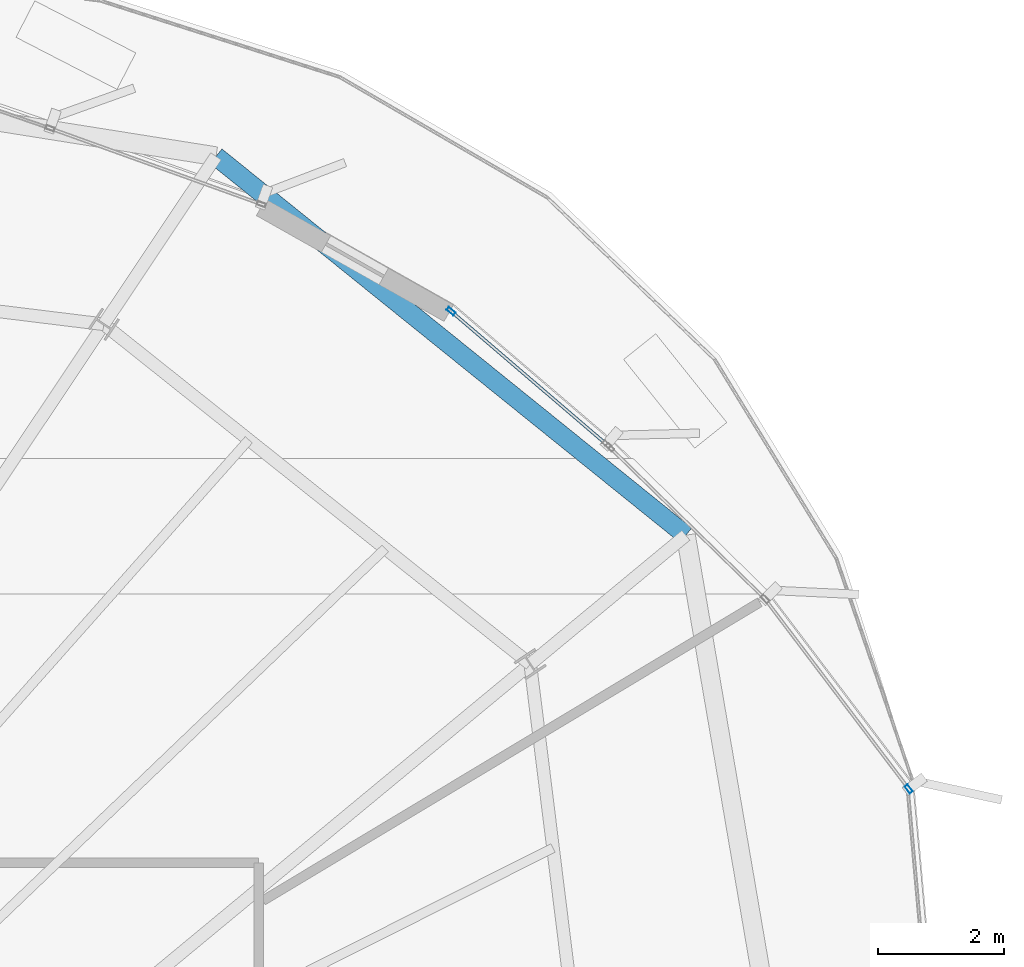
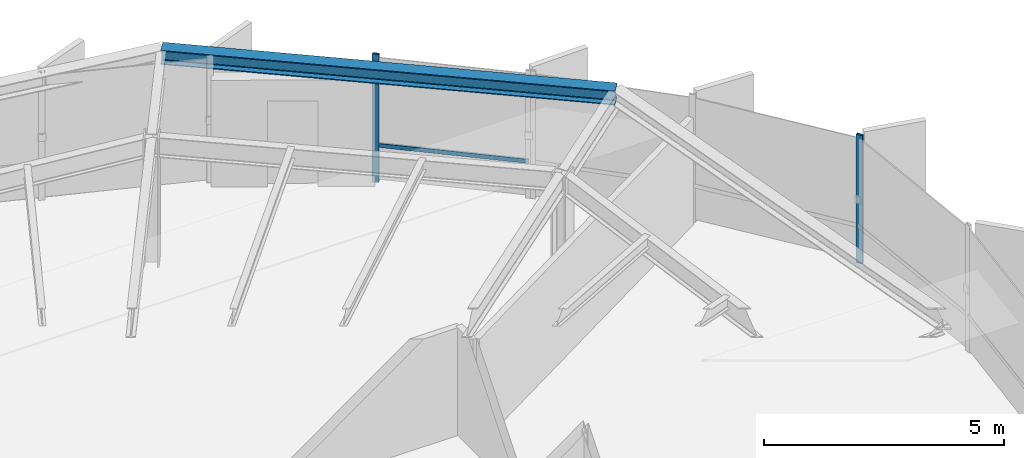
# One storey, part 27 of 34: 3 members, 1 beam, 2 elements without a shape of their own.
"""IFC4 building model written with IfcOpenShell, lengths in metres."""

from ifc_helpers import new_model, si_unit, direction, frame, origin, origin_2d, place, context, subcontext, project, spatial, hollow_rectangle, i_section, extrude, source, transform, mapped, material, layer, layer_set, material_profile, profile_set, type_object, element, aggregate, save


model = new_model("IFC4")

# Units and contexts
model_context = context("Model", 3, precision=1e-05, world=origin(), true_north=direction((0.0, 1.0)))
body_context = subcontext(model_context, "Body", "Model", "MODEL_VIEW")
ifc_project = project(units=[si_unit("LENGTHUNIT", "METRE"), si_unit("AREAUNIT", "SQUARE_METRE"), si_unit("VOLUMEUNIT", "CUBIC_METRE"), si_unit("PLANEANGLEUNIT", "RADIAN"), si_unit("MASSUNIT", "GRAM", prefix="KILO"), si_unit("THERMODYNAMICTEMPERATUREUNIT", "KELVIN")], contexts=[model_context])

# Site, building, storey
site_placement = place(None, origin())
site = spatial("IfcSite", under=ifc_project, at=site_placement, CompositionType="ELEMENT")
building_placement = place(site_placement, origin())
building = spatial("IfcBuilding", under=site, at=building_placement, Name="Kethvar Cultural Tower", CompositionType="ELEMENT")
storey_placement = place(building_placement, frame((0.0, 0.0, 190.39990234375)))
storey = spatial("IfcBuildingStorey", under=building, at=storey_placement, Name="L49", CompositionType="ELEMENT", Elevation=190.39990234375)

# Beam
ifc_material_1 = material(Name="Steel S355J2", Category="steel")
ifc_material_profile_1 = material_profile(ifc_material_1, i_section(OverallWidth=0.300048828125, OverallDepth=0.360107421875, WebThickness=0.012451171875, FlangeThickness=0.0224609375, FilletRadius=0.027099609375, at=origin_2d()), Name="Steel S355J2 — HEB360")
ifc_profile_set_1 = profile_set([ifc_material_profile_1], Name="Steel S355J2 — HEB360")
beam_type = type_object("IfcBeamType", Name="BM-SP360", PredefinedType="SPANDREL", material=ifc_profile_set_1)
shared_shape_1 = source(origin(), body_context, "Body", "SweptSolid", [
    extrude(i_section(OverallWidth=0.300048828125, OverallDepth=0.360107421875, WebThickness=0.012451171875, FlangeThickness=0.0224609375, FilletRadius=0.027099609375, at=origin_2d()), origin(), (0.0, 0.0, 1.0), 9.563232421875),
])
beam_placement = place(storey_placement, frame((67.96923828125, 42.338134765625, 3.078125), z_axis=(-0.77833939171, 0.627843763458, 0.0), x_axis=(-0.627843763458, -0.77833939171, 0.0)))
element("IfcBeam", 1, at=beam_placement, inside=storey, type_object=beam_type, Name="L49 Perimeter Spandrel Beam SP-02", PredefinedType="SPANDREL", context=body_context, shape_type="MappedRepresentation", body=[
    mapped(shared_shape_1, transform((0.0, 0.0, 0.0), scale=1.0)),
])

# Curtain wall, member
ifc_material_2 = material(Name="Aluminium 6063-T6", Category="aluminium")
ifc_layer = layer(ifc_material_2, 0.179931640625, Name="Aluminium 6063-T6", Category="aluminium")
ifc_layer_set = layer_set([ifc_layer], Name="Aluminium 6063-T6 (180 mm)")
curtain_wall_type = type_object("IfcCurtainWallType", Name="CW-SYS-04-Z34", PredefinedType="NOTDEFINED", material=ifc_layer_set)
curtain_wall_1_placement = place(storey_placement, origin())
curtain_wall_1 = element("IfcCurtainWall", 2, at=curtain_wall_1_placement, inside=storey, type_object=curtain_wall_type, Name="L49 Curtain Wall Run 01", PredefinedType="NOTDEFINED")
ifc_material_profile_2 = material_profile(ifc_material_2, hollow_rectangle(XDim=0.06005859375, YDim=0.139892578125, WallThickness=0.0048828125, at=origin_2d()), Name="Aluminium 6063-T6 — RHS140x60x5")
ifc_profile_set_2 = profile_set([ifc_material_profile_2], Name="Aluminium 6063-T6 — RHS140x60x5")
member_type_1 = type_object("IfcMemberType", Name="CW-SYS-04-Z34-MUL", PredefinedType="MULLION", material=ifc_profile_set_2)
shared_shape_2 = source(origin(), body_context, "Body", "SweptSolid", [
    extrude(hollow_rectangle(XDim=0.06005859375, YDim=0.139892578125, WallThickness=0.0048828125, at=origin_2d()), origin(), (0.0, 0.0, 1.0), 3.260009765625),
])
member_1_placement = place(storey_placement, frame((64.248291015625, 45.88818359375, 0.0), z_axis=(0.0, 0.0, 1.0), x_axis=(-0.65024398735, -0.759725448379, 0.0)))
member_1 = element("IfcMember", 3, at=member_1_placement, type_object=member_type_1, Name="CW-L49-R01 Mullion 2", PredefinedType="MULLION", context=body_context, shape_type="MappedRepresentation", body=[
    mapped(shared_shape_2, transform((0.0, 0.0, 0.0), scale=1.0)),
])

curtain_wall_2_placement = place(storey_placement, origin())
curtain_wall_2 = element("IfcCurtainWall", 4, at=curtain_wall_2_placement, inside=storey, type_object=curtain_wall_type, Name="L49 Curtain Wall Run 07", PredefinedType="NOTDEFINED")
member_2_placement = place(storey_placement, frame((71.500244140625, 38.3203125, 0.0), z_axis=(0.0, 0.0, 1.0), x_axis=(-0.797373320929, -0.603486360302, 0.0)))
member_2 = element("IfcMember", 5, at=member_2_placement, type_object=member_type_1, Name="CW-L49-R07 Mullion 3", PredefinedType="MULLION", context=body_context, shape_type="MappedRepresentation", body=[
    mapped(shared_shape_2, transform((0.0, 0.0, 0.0), scale=1.0)),
])
aggregate(curtain_wall_2, [member_2])

# Member
ifc_material_profile_3 = material_profile(ifc_material_2, hollow_rectangle(XDim=0.050048828125, YDim=0.10009765625, WallThickness=0.00390625, at=origin_2d()), Name="Aluminium 6063-T6 — RHS100x50x4")
ifc_profile_set_3 = profile_set([ifc_material_profile_3], Name="Aluminium 6063-T6 — RHS100x50x4")
member_type_2 = type_object("IfcMemberType", Name="CW-SYS-04-Z34-TRN", PredefinedType="USERDEFINED", material=ifc_profile_set_3)
shared_shape_3 = source(origin(), body_context, "Body", "SweptSolid", [
    extrude(hollow_rectangle(XDim=0.050048828125, YDim=0.10009765625, WallThickness=0.00390625, at=origin_2d()), origin(), (0.0, 0.0, 1.0), 3.23779296875),
])
member_3_placement = place(storey_placement, frame((66.71142578125, 43.780029296875, 0.9501953125), z_axis=(-0.759692886326, 0.650282029943, 0.0), x_axis=(-0.650282029943, -0.759692886326, 0.0)))
member_3 = element("IfcMember", 6, at=member_3_placement, type_object=member_type_2, Name="CW-L49-R01 Transom 1", ObjectType="TRANSOM", PredefinedType="USERDEFINED", context=body_context, shape_type="MappedRepresentation", body=[
    mapped(shared_shape_3, transform((0.0, 0.0, 0.0), scale=1.0)),
])

aggregate(curtain_wall_1, [member_1, member_3])

save(model, "model.ifc")
